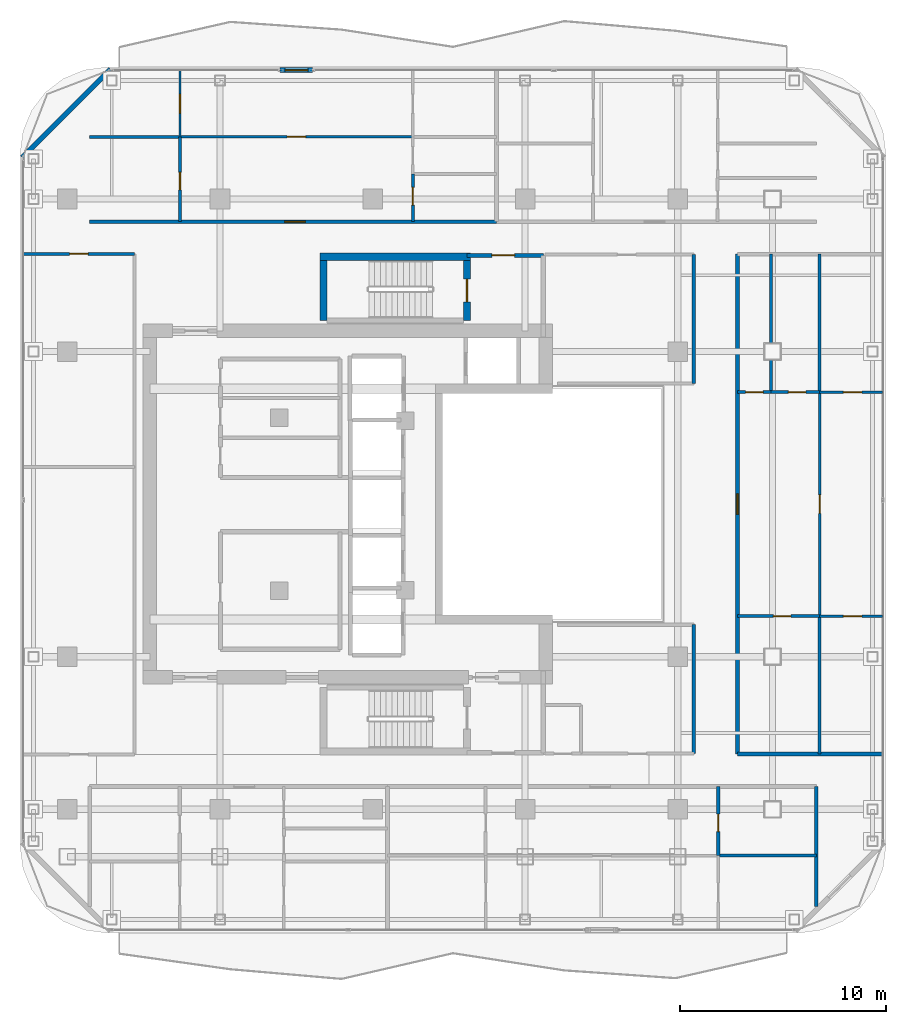
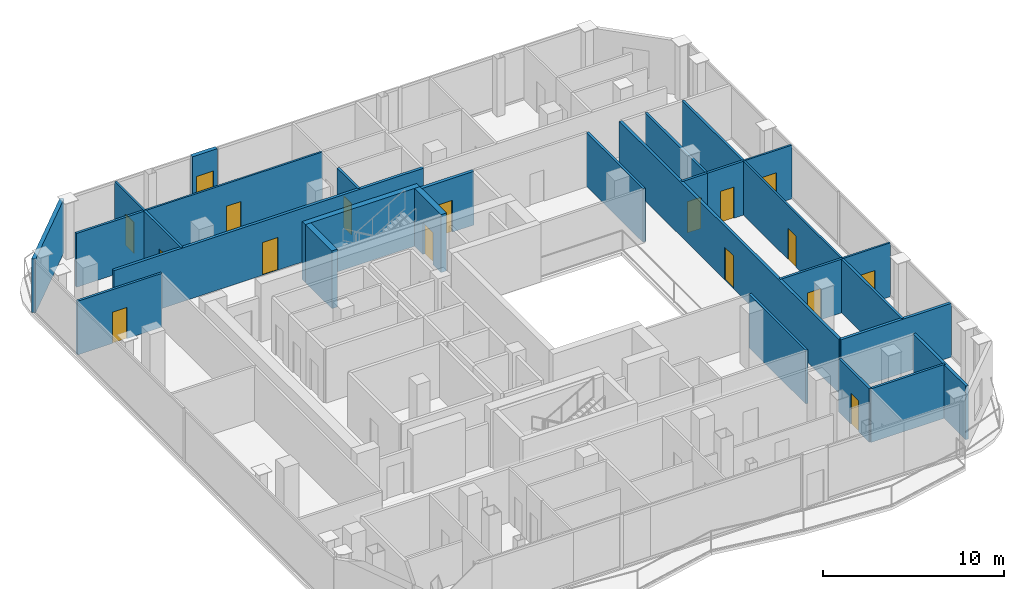
# One storey, part 18 of 22: 29 walls, 17 doors, 17 openings.
"""IFC4 building model written with IfcOpenShell, lengths in metres."""

from ifc_helpers import new_model, si_unit, direction, frame, frame_2d, origin, place, context, subcontext, project, spatial, rectangle, extrude, material, layer, layer_set, type_object, element, fill, save


model = new_model("IFC4")

# Units and contexts
model_context = context("Model", 3, precision=1e-05, world=origin(), true_north=direction((0.0, 1.0)))
body_context = subcontext(model_context, "Body", "Model", "MODEL_VIEW")
ifc_project = project(units=[si_unit("LENGTHUNIT", "METRE"), si_unit("AREAUNIT", "SQUARE_METRE"), si_unit("VOLUMEUNIT", "CUBIC_METRE"), si_unit("PLANEANGLEUNIT", "RADIAN"), si_unit("MASSUNIT", "GRAM", prefix="KILO")], contexts=[model_context])

# Site, building, storey
site_placement = place(None, origin())
site = spatial("IfcSite", under=ifc_project, at=site_placement, CompositionType="ELEMENT")
building_placement = place(site_placement, origin())
building = spatial("IfcBuilding", under=site, at=building_placement, Name="Khorvyn Point Tower", CompositionType="ELEMENT")
storey_placement = place(building_placement, frame((0.0, 0.0, 282.0)))
storey = spatial("IfcBuildingStorey", under=building, at=storey_placement, Name="L69", CompositionType="ELEMENT", Elevation=282.0)

# Wall, opening, door
ifc_material_1 = material(Name="Double acoustic gypsum on twin steel stud", Category="steel")
ifc_layer_1 = layer(ifc_material_1, 0.179931640625)
ifc_layer_set_1 = layer_set([ifc_layer_1], Name="Acoustic Double-Stud Apartment Demising Wall 180")
wall_type_1 = type_object("IfcWallType", Name="Acoustic Double-Stud Apartment Demising Wall 180", PredefinedType="PARTITIONING", material=ifc_layer_set_1)
wall_1_placement = place(storey_placement, frame((-13.719970703125, 13.699951171875, 0.0), z_axis=(0.0, 0.0, 1.0), x_axis=(1.0, 0.0, 0.0)))
wall_1 = element("IfcWall", 1, at=wall_1_placement, inside=storey, type_object=wall_type_1, Name="Wall", PredefinedType="PARTITIONING", context=body_context, shape_type="SweptSolid", body=[
    extrude(rectangle(XDim=19.73388671875, YDim=0.179931640625, at=frame_2d((9.866943359375, 0.0))), origin(), (0.0, 0.0, 1.0), 3.6201171875),
])
opening_1_placement = place(wall_1_placement, frame((9.456298828125, 0.0, 0.0)))
opening_1 = element("IfcOpeningElement", 2, at=opening_1_placement, cuts=wall_1, Name="Opening ID-AP60", PredefinedType="OPENING", context=body_context, shape_type="SweptSolid", body=[
    extrude(rectangle(XDim=1.0, YDim=2.199951171875, at=frame_2d((0.5, 1.10009765625))), frame((0.0, 0.099853515625, 0.0), z_axis=(0.0, -1.0, 0.0), x_axis=(1.0, 0.0, 0.0)), (0.0, 0.0, 1.0), 0.199951171875),
])
ifc_material_2 = material(Name="Engineered hardwood fire-rated leaf", Category="wood")
door_type_1 = type_object("IfcDoorType", Name="Acoustic Solid-Core Timber Apartment Entrance Door 1000x2200", OperationType="NOTDEFINED", PredefinedType="DOOR", material=ifc_material_2)
door_1_placement = place(opening_1_placement, origin())
door_1 = element("IfcDoor", 3, at=door_1_placement, inside=storey, type_object=door_type_1, Name="Door", OperationType="SINGLE_SWING_LEFT", OverallHeight=2.199951171875, OverallWidth=1.0, PredefinedType="DOOR", context=body_context, shape_type="SweptSolid", body=[
    extrude(rectangle(XDim=1.0, YDim=2.199951171875, at=frame_2d((0.5, 1.10009765625))), frame((0.0, 0.02490234375, 0.0), z_axis=(0.0, -1.0, 0.0), x_axis=(1.0, 0.0, 0.0)), (0.0, 0.0, 1.0), 0.050048828125),
])
fill(opening_1, door_1)

wall_2_placement = place(storey_placement, frame((17.699951171875, -12.1201171875, 0.0), z_axis=(0.0, 0.0, 1.0), x_axis=(0.0, 1.0, 0.0)))
wall_2 = element("IfcWall", 4, at=wall_2_placement, inside=storey, type_object=wall_type_1, Name="Wall", PredefinedType="PARTITIONING", context=body_context, shape_type="SweptSolid", body=[
    extrude(rectangle(XDim=24.240234375, YDim=0.179931640625, at=frame_2d((12.1201171875, 0.0))), origin(), (0.0, 0.0, 1.0), 3.6201171875),
])
opening_2_placement = place(wall_2_placement, frame((11.6201171875, 0.0, 0.0)))
opening_2 = element("IfcOpeningElement", 5, at=opening_2_placement, cuts=wall_2, Name="Opening ID-AP60", PredefinedType="OPENING", context=body_context, shape_type="SweptSolid", body=[
    extrude(rectangle(XDim=1.0, YDim=2.199951171875, at=frame_2d((0.5, 1.10009765625))), frame((0.0, 0.099853515625, 0.0), z_axis=(0.0, -1.0, 0.0), x_axis=(1.0, 0.0, 0.0)), (0.0, 0.0, 1.0), 0.199951171875),
])
door_2_placement = place(opening_2_placement, origin())
door_2 = element("IfcDoor", 6, at=door_2_placement, inside=storey, type_object=door_type_1, Name="Door", OperationType="SINGLE_SWING_RIGHT", OverallHeight=2.199951171875, OverallWidth=1.0, PredefinedType="DOOR", context=body_context, shape_type="SweptSolid", body=[
    extrude(rectangle(XDim=1.0, YDim=2.199951171875, at=frame_2d((0.5, 1.10009765625))), frame((0.0, 0.02490234375, 0.0), z_axis=(0.0, -1.0, 0.0), x_axis=(1.0, 0.0, 0.0)), (0.0, 0.0, 1.0), 0.050048828125),
])
fill(opening_2, door_2)

# Walls
wall_3_placement = place(storey_placement, frame((21.52001953125, -19.510009765625, 0.0), z_axis=(0.0, 0.0, 1.0), x_axis=(0.0, 1.0, 0.0)))
element("IfcWall", 7, at=wall_3_placement, inside=storey, type_object=wall_type_1, Name="Wall", PredefinedType="PARTITIONING", context=body_context, shape_type="SweptSolid", body=[
    extrude(rectangle(XDim=5.81005859375, YDim=0.179931640625, at=frame_2d((2.905029296875, 0.0))), origin(), (0.0, 0.0, 1.0), 3.6201171875),
])
wall_4_placement = place(storey_placement, frame((17.699951171875, -12.1201171875, 0.0), z_axis=(0.0, 0.0, 1.0), x_axis=(1.0, 0.0, 0.0)))
element("IfcWall", 8, at=wall_4_placement, inside=storey, type_object=wall_type_1, Name="Wall", PredefinedType="PARTITIONING", context=body_context, shape_type="SweptSolid", body=[
    extrude(rectangle(XDim=7.030029296875, YDim=0.179931640625, at=frame_2d((3.51513671875, 0.0))), origin(), (0.0, 0.0, 1.0), 3.6201171875),
])

# Wall, opening, door
ifc_material_3 = material(Name="Pale anodised aluminium rainscreen on steel stud", Category="steel")
ifc_layer_2 = layer(ifc_material_3, 0.239990234375)
ifc_layer_set_2 = layer_set([ifc_layer_2], Name="Anodised Aluminium Insulated Corner Spandrel Wall 240")
wall_type_2 = type_object("IfcWallType", Name="Anodised Aluminium Insulated Corner Spandrel Wall 240", PredefinedType="SOLIDWALL", material=ifc_layer_set_2)
wall_5_placement = place(storey_placement, frame((-4.48291015625, 21.050048828125, 0.0), z_axis=(0.0, 0.0, 1.0), x_axis=(1.0, 0.0, 0.0)))
wall_5 = element("IfcWall", 9, at=wall_5_placement, inside=storey, type_object=wall_type_2, Name="L69 North Outdoor Threshold Wall", PredefinedType="SOLIDWALL", context=body_context, shape_type="SweptSolid", body=[
    extrude(rectangle(XDim=1.579833984375, YDim=0.239990234375, at=frame_2d((0.7900390625, 0.0))), origin(), (0.0, 0.0, 1.0), 3.6201171875),
])
opening_3_placement = place(wall_5_placement, frame((0.239990234375, 0.0, 0.0)))
opening_3 = element("IfcOpeningElement", 10, at=opening_3_placement, cuts=wall_5, Name="Opening BD-1122", PredefinedType="OPENING", context=body_context, shape_type="SweptSolid", body=[
    extrude(rectangle(XDim=1.10009765625, YDim=2.199951171875, at=frame_2d((0.550048828125, 1.10009765625))), frame((0.0, 0.1298828125, 0.0), z_axis=(0.0, -1.0, 0.0), x_axis=(1.0, 0.0, 0.0)), (0.0, 0.0, 1.0), 0.260009765625),
])
ifc_material_4 = material(Name="Anodised aluminium 6063-T6 and laminated Low-E glass", Category="aluminium")
door_type_2 = type_object("IfcDoorType", Name="Glazed Balcony and Terrace Threshold Door 1100x2200", OperationType="NOTDEFINED", PredefinedType="DOOR", material=ifc_material_4)
door_3_placement = place(opening_3_placement, origin())
door_3 = element("IfcDoor", 11, at=door_3_placement, inside=storey, type_object=door_type_2, Name="L69 North Glazed Balcony Outdoor Door", OperationType="SINGLE_SWING_LEFT", OverallHeight=2.199951171875, OverallWidth=1.10009765625, PredefinedType="DOOR", context=body_context, shape_type="SweptSolid", body=[
    extrude(rectangle(XDim=1.10009765625, YDim=2.199951171875, at=frame_2d((0.550048828125, 1.10009765625))), frame((0.0, 0.02490234375, 0.0), z_axis=(0.0, -1.0, 0.0), x_axis=(1.0, 0.0, 0.0)), (0.0, 0.0, 1.0), 0.050048828125),
])
fill(opening_3, door_3)

# Wall
wall_6_placement = place(storey_placement, frame((-16.992431640625, 16.8076171875, 0.0), z_axis=(0.0, 0.0, 1.0), x_axis=(0.707126925818, 0.707086635981, 0.0)))
element("IfcWall", 12, at=wall_6_placement, inside=storey, type_object=wall_type_2, Name="L69 Rounded Corner Wall NW", PredefinedType="SOLIDWALL", context=body_context, shape_type="SweptSolid", body=[
    extrude(rectangle(XDim=6.0595703125, YDim=0.239990234375, at=frame_2d((3.02978515625, 0.0))), origin(), (0.0, 0.0, 1.0), 3.6201171875),
])

# Wall, opening, door
ifc_material_5 = material(Name="Concrete C40/50", Category="concrete")
ifc_layer_3 = layer(ifc_material_5, 0.199951171875)
ifc_layer_set_3 = layer_set([ifc_layer_3], Name="Concrete C40/50 Fire-Lobby Compartment Wall 200")
wall_type_3 = type_object("IfcWallType", Name="Concrete C40/50 Fire-Lobby Compartment Wall 200", PredefinedType="SOLIDWALL", material=ifc_layer_set_3)
wall_7_placement = place(storey_placement, frame((4.580078125, 12.06005859375, 0.0), z_axis=(0.0, 0.0, 1.0), x_axis=(1.0, 0.0, 0.0)))
wall_7 = element("IfcWall", 13, at=wall_7_placement, inside=storey, type_object=wall_type_3, Name="Wall", PredefinedType="SOLIDWALL", context=body_context, shape_type="SweptSolid", body=[
    extrude(rectangle(XDim=3.699951171875, YDim=0.199951171875, at=frame_2d((1.85009765625, 0.0))), origin(), (0.0, 0.0, 1.0), 3.6201171875),
])
opening_4_placement = place(wall_7_placement, frame((1.21240234375, 0.0, 0.0)))
opening_4 = element("IfcOpeningElement", 14, at=opening_4_placement, cuts=wall_7, Name="Opening ID-FL90", PredefinedType="OPENING", context=body_context, shape_type="SweptSolid", body=[
    extrude(rectangle(XDim=1.10009765625, YDim=2.14990234375, at=frame_2d((0.550048828125, 1.074951171875))), frame((0.0, 0.10986328125, 0.0), z_axis=(0.0, -1.0, 0.0), x_axis=(1.0, 0.0, 0.0)), (0.0, 0.0, 1.0), 0.219970703125),
])
ifc_material_6 = material(Name="Galvanised powder-coated steel", Category="steel")
door_type_3 = type_object("IfcDoorType", Name="Fire-Rated Steel Lobby and Stair Door 1100x2150", OperationType="NOTDEFINED", PredefinedType="DOOR", material=ifc_material_6)
door_4_placement = place(opening_4_placement, origin())
door_4 = element("IfcDoor", 15, at=door_4_placement, inside=storey, type_object=door_type_3, Name="Door", OperationType="SINGLE_SWING_LEFT", OverallHeight=2.14990234375, OverallWidth=1.10009765625, PredefinedType="DOOR", context=body_context, shape_type="SweptSolid", body=[
    extrude(rectangle(XDim=1.10009765625, YDim=2.14990234375, at=frame_2d((0.550048828125, 1.074951171875))), frame((0.0, 0.02490234375, 0.0), z_axis=(0.0, -1.0, 0.0), x_axis=(1.0, 0.0, 0.0)), (0.0, 0.0, 1.0), 0.050048828125),
])
fill(opening_4, door_4)

# Walls
ifc_layer_4 = layer(ifc_material_5, 0.35009765625)
ifc_layer_set_4 = layer_set([ifc_layer_4], Name="Concrete C40/50 Stair Shaft Structural Wall 350")
wall_type_4 = type_object("IfcWallType", Name="Concrete C40/50 Stair Shaft Structural Wall 350", PredefinedType="SHEAR", material=ifc_layer_set_4)
wall_8_placement = place(storey_placement, frame((-2.554931640625, 12.0, 0.0), z_axis=(0.0, 0.0, 1.0), x_axis=(1.0, 0.0, 0.0)))
element("IfcWall", 16, at=wall_8_placement, inside=storey, type_object=wall_type_4, Name="L69 ST-02 North Shaft Wall", PredefinedType="SHEAR", context=body_context, shape_type="SweptSolid", body=[
    extrude(rectangle(XDim=7.309814453125, YDim=0.35009765625, at=frame_2d((3.65478515625, 0.0))), origin(), (0.0, 0.0, 1.0), 3.89990234375),
])
wall_9_placement = place(storey_placement, frame((-2.3798828125, 8.89990234375, 0.0), z_axis=(0.0, 0.0, 1.0), x_axis=(0.0, 1.0, 0.0)))
element("IfcWall", 17, at=wall_9_placement, inside=storey, type_object=wall_type_4, Name="L69 ST-02 West Shaft Wall", PredefinedType="SHEAR", context=body_context, shape_type="SweptSolid", body=[
    extrude(rectangle(XDim=2.925048828125, YDim=0.35009765625, at=frame_2d((1.46240234375, 0.0))), origin(), (0.0, 0.0, 1.0), 3.89990234375),
])

# Wall, opening, door
wall_10_placement = place(storey_placement, frame((4.580078125, 11.824951171875, 0.0), z_axis=(0.0, 0.0, 1.0), x_axis=(0.0, -1.0, 0.0)))
wall_10 = element("IfcWall", 18, at=wall_10_placement, inside=storey, type_object=wall_type_4, Name="L69 ST-02 East Landing Door Wall", PredefinedType="SHEAR", context=body_context, shape_type="SweptSolid", body=[
    extrude(rectangle(XDim=2.925048828125, YDim=0.35009765625, at=frame_2d((1.46240234375, 0.0))), origin(), (0.0, 0.0, 1.0), 3.89990234375),
])
opening_5_placement = place(wall_10_placement, frame((0.91259765625, 0.0, 0.0)))
opening_5 = element("IfcOpeningElement", 19, at=opening_5_placement, cuts=wall_10, Name="Opening ID-FL90", PredefinedType="OPENING", context=body_context, shape_type="SweptSolid", body=[
    extrude(rectangle(XDim=1.10009765625, YDim=2.14990234375, at=frame_2d((0.550048828125, 1.074951171875))), frame((0.0, 0.18505859375, 0.0), z_axis=(0.0, -1.0, 0.0), x_axis=(1.0, 0.0, 0.0)), (0.0, 0.0, 1.0), 0.3701171875),
])
door_5_placement = place(opening_5_placement, origin())
door_5 = element("IfcDoor", 20, at=door_5_placement, inside=storey, type_object=door_type_3, Name="L69 ST-02 Smokeproof Landing Door", OperationType="SINGLE_SWING_RIGHT", OverallHeight=2.14990234375, OverallWidth=1.10009765625, PredefinedType="DOOR", context=body_context, shape_type="SweptSolid", body=[
    extrude(rectangle(XDim=1.10009765625, YDim=2.14990234375, at=frame_2d((0.550048828125, 1.074951171875))), frame((0.0, 0.02490234375, 0.0), z_axis=(0.0, -1.0, 0.0), x_axis=(1.0, 0.0, 0.0)), (0.0, 0.0, 1.0), 0.050048828125),
])
fill(opening_5, door_5)

ifc_material_7 = material(Name="Gypsum plasterboard on steel stud", Category="steel")
ifc_layer_5 = layer(ifc_material_7, 0.1201171875)
ifc_layer_set_5 = layer_set([ifc_layer_5], Name="Gypsum Acoustic Stud Room Partition Wall 120")
wall_type_5 = type_object("IfcWallType", Name="Gypsum Acoustic Stud Room Partition Wall 120", PredefinedType="PARTITIONING", material=ifc_layer_set_5)
wall_11_placement = place(storey_placement, frame((-9.340087890625, 17.81005859375, 0.0), z_axis=(0.0, 0.0, 1.0), x_axis=(1.0, 0.0, 0.0)))
wall_11 = element("IfcWall", 21, at=wall_11_placement, inside=storey, type_object=wall_type_5, Name="Wall", PredefinedType="PARTITIONING", context=body_context, shape_type="SweptSolid", body=[
    extrude(rectangle(XDim=11.29296875, YDim=0.1201171875, at=frame_2d((5.646484375, 0.0))), origin(), (0.0, 0.0, 1.0), 3.6201171875),
])
opening_6_placement = place(wall_11_placement, frame((5.196533203125, 0.0, 0.0)))
opening_6 = element("IfcOpeningElement", 22, at=opening_6_placement, cuts=wall_11, Name="Opening ID-RM90", PredefinedType="OPENING", context=body_context, shape_type="SweptSolid", body=[
    extrude(rectangle(XDim=0.89990234375, YDim=2.10009765625, at=frame_2d((0.449951171875, 1.050048828125))), frame((0.0, 0.070068359375, 0.0), z_axis=(0.0, -1.0, 0.0), x_axis=(1.0, 0.0, 0.0)), (0.0, 0.0, 1.0), 0.14013671875),
])
ifc_material_8 = material(Name="Engineered oak veneer timber", Category="wood")
door_type_4 = type_object("IfcDoorType", Name="Flush Engineered Timber Room Door 900x2100", OperationType="NOTDEFINED", PredefinedType="DOOR", material=ifc_material_8)
door_6_placement = place(opening_6_placement, origin())
door_6 = element("IfcDoor", 23, at=door_6_placement, inside=storey, type_object=door_type_4, Name="Door", OperationType="SINGLE_SWING_RIGHT", OverallHeight=2.10009765625, OverallWidth=0.89990234375, PredefinedType="DOOR", context=body_context, shape_type="SweptSolid", body=[
    extrude(rectangle(XDim=0.89990234375, YDim=2.10009765625, at=frame_2d((0.449951171875, 1.050048828125))), frame((0.0, 0.02490234375, 0.0), z_axis=(0.0, -1.0, 0.0), x_axis=(1.0, 0.0, 0.0)), (0.0, 0.0, 1.0), 0.050048828125),
])
fill(opening_6, door_6)

wall_12_placement = place(storey_placement, frame((-9.340087890625, 17.81005859375, 0.0), z_axis=(0.0, 0.0, 1.0), x_axis=(0.0, 1.0, 0.0)))
wall_12 = element("IfcWall", 24, at=wall_12_placement, inside=storey, type_object=wall_type_5, Name="Wall", PredefinedType="PARTITIONING", context=body_context, shape_type="SweptSolid", body=[
    extrude(rectangle(XDim=3.219970703125, YDim=0.1201171875, at=frame_2d((1.60986328125, 0.0))), origin(), (0.0, 0.0, 1.0), 3.6201171875),
])
opening_7_placement = place(wall_12_placement, frame((1.159912109375, 0.0, 0.0)))
opening_7 = element("IfcOpeningElement", 25, at=opening_7_placement, cuts=wall_12, Name="Opening ID-RM90", PredefinedType="OPENING", context=body_context, shape_type="SweptSolid", body=[
    extrude(rectangle(XDim=0.89990234375, YDim=2.10009765625, at=frame_2d((0.449951171875, 1.050048828125))), frame((0.0, 0.070068359375, 0.0), z_axis=(0.0, -1.0, 0.0), x_axis=(1.0, 0.0, 0.0)), (0.0, 0.0, 1.0), 0.14013671875),
])
door_7_placement = place(opening_7_placement, origin())
door_7 = element("IfcDoor", 26, at=door_7_placement, inside=storey, type_object=door_type_4, Name="Door", OperationType="SINGLE_SWING_RIGHT", OverallHeight=2.10009765625, OverallWidth=0.89990234375, PredefinedType="DOOR", context=body_context, shape_type="SweptSolid", body=[
    extrude(rectangle(XDim=0.89990234375, YDim=2.10009765625, at=frame_2d((0.449951171875, 1.050048828125))), frame((0.0, 0.02490234375, 0.0), z_axis=(0.0, -1.0, 0.0), x_axis=(1.0, 0.0, 0.0)), (0.0, 0.0, 1.0), 0.050048828125),
])
fill(opening_7, door_7)

wall_13_placement = place(storey_placement, frame((21.677978515625, -5.430908203125, 0.0), z_axis=(0.0, 0.0, 1.0), x_axis=(0.0, 1.0, 0.0)))
wall_13 = element("IfcWall", 27, at=wall_13_placement, inside=storey, type_object=wall_type_5, Name="Wall", PredefinedType="PARTITIONING", context=body_context, shape_type="SweptSolid", body=[
    extrude(rectangle(XDim=10.86181640625, YDim=0.1201171875, at=frame_2d((5.430908203125, 0.0))), origin(), (0.0, 0.0, 1.0), 3.6201171875),
])
opening_8_placement = place(wall_13_placement, frame((4.98095703125, 0.0, 0.0)))
opening_8 = element("IfcOpeningElement", 28, at=opening_8_placement, cuts=wall_13, Name="Opening ID-RM90", PredefinedType="OPENING", context=body_context, shape_type="SweptSolid", body=[
    extrude(rectangle(XDim=0.89990234375, YDim=2.10009765625, at=frame_2d((0.449951171875, 1.050048828125))), frame((0.0, 0.070068359375, 0.0), z_axis=(0.0, -1.0, 0.0), x_axis=(1.0, 0.0, 0.0)), (0.0, 0.0, 1.0), 0.14013671875),
])
door_8_placement = place(opening_8_placement, origin())
door_8 = element("IfcDoor", 29, at=door_8_placement, inside=storey, type_object=door_type_4, Name="Door", OperationType="SINGLE_SWING_LEFT", OverallHeight=2.10009765625, OverallWidth=0.89990234375, PredefinedType="DOOR", context=body_context, shape_type="SweptSolid", body=[
    extrude(rectangle(XDim=0.89990234375, YDim=2.10009765625, at=frame_2d((0.449951171875, 1.050048828125))), frame((0.0, 0.02490234375, 0.0), z_axis=(0.0, -1.0, 0.0), x_axis=(1.0, 0.0, 0.0)), (0.0, 0.0, 1.0), 0.050048828125),
])
fill(opening_8, door_8)

wall_14_placement = place(storey_placement, frame((21.677978515625, -5.430908203125, 0.0), z_axis=(0.0, 0.0, 1.0), x_axis=(1.0, 0.0, 0.0)))
wall_14 = element("IfcWall", 30, at=wall_14_placement, inside=storey, type_object=wall_type_5, Name="Wall", PredefinedType="PARTITIONING", context=body_context, shape_type="SweptSolid", body=[
    extrude(rectangle(XDim=3.052001953125, YDim=0.1201171875, at=frame_2d((1.52587890625, 0.0))), origin(), (0.0, 0.0, 1.0), 3.6201171875),
])
opening_9_placement = place(wall_14_placement, frame((1.1591796875, 0.0, 0.0)))
opening_9 = element("IfcOpeningElement", 31, at=opening_9_placement, cuts=wall_14, Name="Opening ID-RM90", PredefinedType="OPENING", context=body_context, shape_type="SweptSolid", body=[
    extrude(rectangle(XDim=0.89990234375, YDim=2.10009765625, at=frame_2d((0.449951171875, 1.050048828125))), frame((0.0, 0.070068359375, 0.0), z_axis=(0.0, -1.0, 0.0), x_axis=(1.0, 0.0, 0.0)), (0.0, 0.0, 1.0), 0.14013671875),
])
door_9_placement = place(opening_9_placement, origin())
door_9 = element("IfcDoor", 32, at=door_9_placement, inside=storey, type_object=door_type_4, Name="Door", OperationType="SINGLE_SWING_LEFT", OverallHeight=2.10009765625, OverallWidth=0.89990234375, PredefinedType="DOOR", context=body_context, shape_type="SweptSolid", body=[
    extrude(rectangle(XDim=0.89990234375, YDim=2.10009765625, at=frame_2d((0.449951171875, 1.050048828125))), frame((0.0, 0.02490234375, 0.0), z_axis=(0.0, -1.0, 0.0), x_axis=(1.0, 0.0, 0.0)), (0.0, 0.0, 1.0), 0.050048828125),
])
fill(opening_9, door_9)

wall_15_placement = place(storey_placement, frame((21.677978515625, 5.430908203125, 0.0), z_axis=(0.0, 0.0, 1.0), x_axis=(1.0, 0.0, 0.0)))
wall_15 = element("IfcWall", 33, at=wall_15_placement, inside=storey, type_object=wall_type_5, Name="Wall", PredefinedType="PARTITIONING", context=body_context, shape_type="SweptSolid", body=[
    extrude(rectangle(XDim=3.052001953125, YDim=0.1201171875, at=frame_2d((1.52587890625, 0.0))), origin(), (0.0, 0.0, 1.0), 3.6201171875),
])
opening_10_placement = place(wall_15_placement, frame((1.1591796875, 0.0, 0.0)))
opening_10 = element("IfcOpeningElement", 34, at=opening_10_placement, cuts=wall_15, Name="Opening ID-RM90", PredefinedType="OPENING", context=body_context, shape_type="SweptSolid", body=[
    extrude(rectangle(XDim=0.89990234375, YDim=2.10009765625, at=frame_2d((0.449951171875, 1.050048828125))), frame((0.0, 0.070068359375, 0.0), z_axis=(0.0, -1.0, 0.0), x_axis=(1.0, 0.0, 0.0)), (0.0, 0.0, 1.0), 0.14013671875),
])
door_10_placement = place(opening_10_placement, origin())
door_10 = element("IfcDoor", 35, at=door_10_placement, inside=storey, type_object=door_type_4, Name="Door", OperationType="SINGLE_SWING_RIGHT", OverallHeight=2.10009765625, OverallWidth=0.89990234375, PredefinedType="DOOR", context=body_context, shape_type="SweptSolid", body=[
    extrude(rectangle(XDim=0.89990234375, YDim=2.10009765625, at=frame_2d((0.449951171875, 1.050048828125))), frame((0.0, 0.02490234375, 0.0), z_axis=(0.0, -1.0, 0.0), x_axis=(1.0, 0.0, 0.0)), (0.0, 0.0, 1.0), 0.050048828125),
])
fill(opening_10, door_10)

ifc_material_9 = material(Name="Moisture-resistant gypsum and cement board", Category="gypsum")
ifc_layer_6 = layer(ifc_material_9, 0.14990234375)
ifc_layer_set_6 = layer_set([ifc_layer_6], Name="Moisture-Resistant Wet-Room Partition Wall 150")
wall_type_6 = type_object("IfcWallType", Name="Moisture-Resistant Wet-Room Partition Wall 150", PredefinedType="PARTITIONING", material=ifc_layer_set_6)
wall_16_placement = place(storey_placement, frame((-9.340087890625, 13.699951171875, 0.0), z_axis=(0.0, 0.0, 1.0), x_axis=(0.0, 1.0, 0.0)))
wall_16 = element("IfcWall", 36, at=wall_16_placement, inside=storey, type_object=wall_type_6, Name="Wall", PredefinedType="PARTITIONING", context=body_context, shape_type="SweptSolid", body=[
    extrude(rectangle(XDim=4.110107421875, YDim=0.14990234375, at=frame_2d((2.05517578125, 0.0))), origin(), (0.0, 0.0, 1.0), 3.6201171875),
])
opening_11_placement = place(wall_16_placement, frame((1.54345703125, 0.0, 0.0)))
opening_11 = element("IfcOpeningElement", 37, at=opening_11_placement, cuts=wall_16, Name="Opening ID-WC85", PredefinedType="OPENING", context=body_context, shape_type="SweptSolid", body=[
    extrude(rectangle(XDim=0.85009765625, YDim=2.10009765625, at=frame_2d((0.425048828125, 1.050048828125))), frame((0.0, 0.0849609375, 0.0), z_axis=(0.0, -1.0, 0.0), x_axis=(1.0, 0.0, 0.0)), (0.0, 0.0, 1.0), 0.169921875),
])
ifc_material_10 = material(Name="High-pressure laminate on moisture-resistant core", Category="wood")
door_type_5 = type_object("IfcDoorType", Name="Moisture-Resistant Accessible Washroom Door 850x2100", OperationType="NOTDEFINED", PredefinedType="DOOR", material=ifc_material_10)
door_11_placement = place(opening_11_placement, origin())
door_11 = element("IfcDoor", 38, at=door_11_placement, inside=storey, type_object=door_type_5, Name="Door", OperationType="SINGLE_SWING_LEFT", OverallHeight=2.10009765625, OverallWidth=0.85009765625, PredefinedType="DOOR", context=body_context, shape_type="SweptSolid", body=[
    extrude(rectangle(XDim=0.85009765625, YDim=2.10009765625, at=frame_2d((0.425048828125, 1.050048828125))), frame((0.0, 0.02490234375, 0.0), z_axis=(0.0, -1.0, 0.0), x_axis=(1.0, 0.0, 0.0)), (0.0, 0.0, 1.0), 0.050048828125),
])
fill(opening_11, door_11)

wall_17_placement = place(storey_placement, frame((1.952880859375, 13.699951171875, 0.0), z_axis=(0.0, 0.0, 1.0), x_axis=(0.0, 1.0, 0.0)))
wall_17 = element("IfcWall", 39, at=wall_17_placement, inside=storey, type_object=wall_type_6, Name="Wall", PredefinedType="PARTITIONING", context=body_context, shape_type="SweptSolid", body=[
    extrude(rectangle(XDim=2.302001953125, YDim=0.14990234375, at=frame_2d((1.15087890625, 0.0))), origin(), (0.0, 0.0, 1.0), 3.6201171875),
])
opening_12_placement = place(wall_17_placement, frame((0.806884765625, 0.0, 0.0)))
opening_12 = element("IfcOpeningElement", 40, at=opening_12_placement, cuts=wall_17, Name="Opening ID-WC85", PredefinedType="OPENING", context=body_context, shape_type="SweptSolid", body=[
    extrude(rectangle(XDim=0.85009765625, YDim=2.10009765625, at=frame_2d((0.425048828125, 1.050048828125))), frame((0.0, 0.0849609375, 0.0), z_axis=(0.0, -1.0, 0.0), x_axis=(1.0, 0.0, 0.0)), (0.0, 0.0, 1.0), 0.169921875),
])
door_12_placement = place(opening_12_placement, origin())
door_12 = element("IfcDoor", 41, at=door_12_placement, inside=storey, type_object=door_type_5, Name="Door", OperationType="SINGLE_SWING_LEFT", OverallHeight=2.10009765625, OverallWidth=0.85009765625, PredefinedType="DOOR", context=body_context, shape_type="SweptSolid", body=[
    extrude(rectangle(XDim=0.85009765625, YDim=2.10009765625, at=frame_2d((0.425048828125, 1.050048828125))), frame((0.0, 0.02490234375, 0.0), z_axis=(0.0, -1.0, 0.0), x_axis=(1.0, 0.0, 0.0)), (0.0, 0.0, 1.0), 0.050048828125),
])
fill(opening_12, door_12)

wall_18_placement = place(storey_placement, frame((16.76806640625, -17.044921875, 0.0), z_axis=(0.0, 0.0, 1.0), x_axis=(0.0, 1.0, 0.0)))
wall_18 = element("IfcWall", 42, at=wall_18_placement, inside=storey, type_object=wall_type_6, Name="Wall", PredefinedType="PARTITIONING", context=body_context, shape_type="SweptSolid", body=[
    extrude(rectangle(XDim=3.344970703125, YDim=0.14990234375, at=frame_2d((1.67236328125, 0.0))), origin(), (0.0, 0.0, 1.0), 3.6201171875),
])
opening_13_placement = place(wall_18_placement, frame((1.163818359375, 0.0, 0.0)))
opening_13 = element("IfcOpeningElement", 43, at=opening_13_placement, cuts=wall_18, Name="Opening ID-WC85", PredefinedType="OPENING", context=body_context, shape_type="SweptSolid", body=[
    extrude(rectangle(XDim=0.85009765625, YDim=2.10009765625, at=frame_2d((0.425048828125, 1.050048828125))), frame((0.0, 0.0849609375, 0.0), z_axis=(0.0, -1.0, 0.0), x_axis=(1.0, 0.0, 0.0)), (0.0, 0.0, 1.0), 0.169921875),
])
door_13_placement = place(opening_13_placement, origin())
door_13 = element("IfcDoor", 44, at=door_13_placement, inside=storey, type_object=door_type_5, Name="Door", OperationType="SINGLE_SWING_RIGHT", OverallHeight=2.10009765625, OverallWidth=0.85009765625, PredefinedType="DOOR", context=body_context, shape_type="SweptSolid", body=[
    extrude(rectangle(XDim=0.85009765625, YDim=2.10009765625, at=frame_2d((0.425048828125, 1.050048828125))), frame((0.0, 0.02490234375, 0.0), z_axis=(0.0, -1.0, 0.0), x_axis=(1.0, 0.0, 0.0)), (0.0, 0.0, 1.0), 0.050048828125),
])
fill(opening_13, door_13)

wall_19_placement = place(storey_placement, frame((-16.929931640625, 12.139892578125, 0.0), z_axis=(0.0, 0.0, 1.0), x_axis=(1.0, 0.0, 0.0)))
wall_19 = element("IfcWall", 45, at=wall_19_placement, inside=storey, type_object=wall_type_6, Name="Wall", PredefinedType="PARTITIONING", context=body_context, shape_type="SweptSolid", body=[
    extrude(rectangle(XDim=5.3798828125, YDim=0.14990234375, at=frame_2d((2.68994140625, 0.0))), origin(), (0.0, 0.0, 1.0), 3.6201171875),
])
opening_14_placement = place(wall_19_placement, frame((2.239990234375, 0.0, 0.0)))
opening_14 = element("IfcOpeningElement", 46, at=opening_14_placement, cuts=wall_19, Name="Opening ID-RM90", PredefinedType="OPENING", context=body_context, shape_type="SweptSolid", body=[
    extrude(rectangle(XDim=0.89990234375, YDim=2.10009765625, at=frame_2d((0.449951171875, 1.050048828125))), frame((0.0, 0.0849609375, 0.0), z_axis=(0.0, -1.0, 0.0), x_axis=(1.0, 0.0, 0.0)), (0.0, 0.0, 1.0), 0.169921875),
])
door_14_placement = place(opening_14_placement, origin())
door_14 = element("IfcDoor", 47, at=door_14_placement, inside=storey, type_object=door_type_4, Name="Door", OperationType="SINGLE_SWING_LEFT", OverallHeight=2.10009765625, OverallWidth=0.89990234375, PredefinedType="DOOR", context=body_context, shape_type="SweptSolid", body=[
    extrude(rectangle(XDim=0.89990234375, YDim=2.10009765625, at=frame_2d((0.449951171875, 1.050048828125))), frame((0.0, 0.02490234375, 0.0), z_axis=(0.0, -1.0, 0.0), x_axis=(1.0, 0.0, 0.0)), (0.0, 0.0, 1.0), 0.050048828125),
])
fill(opening_14, door_14)

wall_20_placement = place(storey_placement, frame((17.699951171875, 5.430908203125, 0.0), z_axis=(0.0, 0.0, 1.0), x_axis=(1.0, 0.0, 0.0)))
wall_20 = element("IfcWall", 48, at=wall_20_placement, inside=storey, type_object=wall_type_6, Name="Wall", PredefinedType="PARTITIONING", context=body_context, shape_type="SweptSolid", body=[
    extrude(rectangle(XDim=1.631103515625, YDim=0.14990234375, at=frame_2d((0.8154296875, 0.0))), origin(), (0.0, 0.0, 1.0), 3.6201171875),
])
opening_15_placement = place(wall_20_placement, frame((0.390380859375, 0.0, 0.0)))
opening_15 = element("IfcOpeningElement", 49, at=opening_15_placement, cuts=wall_20, Name="Opening ID-WC85", PredefinedType="OPENING", context=body_context, shape_type="SweptSolid", body=[
    extrude(rectangle(XDim=0.85009765625, YDim=2.10009765625, at=frame_2d((0.425048828125, 1.050048828125))), frame((0.0, 0.0849609375, 0.0), z_axis=(0.0, -1.0, 0.0), x_axis=(1.0, 0.0, 0.0)), (0.0, 0.0, 1.0), 0.169921875),
])
door_15_placement = place(opening_15_placement, origin())
door_15 = element("IfcDoor", 50, at=door_15_placement, inside=storey, type_object=door_type_5, Name="Door", OperationType="SINGLE_SWING_RIGHT", OverallHeight=2.10009765625, OverallWidth=0.85009765625, PredefinedType="DOOR", context=body_context, shape_type="SweptSolid", body=[
    extrude(rectangle(XDim=0.85009765625, YDim=2.10009765625, at=frame_2d((0.425048828125, 1.050048828125))), frame((0.0, 0.02490234375, 0.0), z_axis=(0.0, -1.0, 0.0), x_axis=(1.0, 0.0, 0.0)), (0.0, 0.0, 1.0), 0.050048828125),
])
fill(opening_15, door_15)

wall_21_placement = place(storey_placement, frame((19.3310546875, 5.430908203125, 0.0), z_axis=(0.0, 0.0, 1.0), x_axis=(1.0, 0.0, 0.0)))
wall_21 = element("IfcWall", 51, at=wall_21_placement, inside=storey, type_object=wall_type_6, Name="Wall", PredefinedType="PARTITIONING", context=body_context, shape_type="SweptSolid", body=[
    extrude(rectangle(XDim=2.346923828125, YDim=0.14990234375, at=frame_2d((1.17333984375, 0.0))), origin(), (0.0, 0.0, 1.0), 3.6201171875),
])
opening_16_placement = place(wall_21_placement, frame((0.83251953125, 0.0, 0.0)))
opening_16 = element("IfcOpeningElement", 52, at=opening_16_placement, cuts=wall_21, Name="Opening ID-WC85", PredefinedType="OPENING", context=body_context, shape_type="SweptSolid", body=[
    extrude(rectangle(XDim=0.85009765625, YDim=2.10009765625, at=frame_2d((0.425048828125, 1.050048828125))), frame((0.0, 0.0849609375, 0.0), z_axis=(0.0, -1.0, 0.0), x_axis=(1.0, 0.0, 0.0)), (0.0, 0.0, 1.0), 0.169921875),
])
door_16_placement = place(opening_16_placement, origin())
door_16 = element("IfcDoor", 53, at=door_16_placement, inside=storey, type_object=door_type_5, Name="Door", OperationType="SINGLE_SWING_LEFT", OverallHeight=2.10009765625, OverallWidth=0.85009765625, PredefinedType="DOOR", context=body_context, shape_type="SweptSolid", body=[
    extrude(rectangle(XDim=0.85009765625, YDim=2.10009765625, at=frame_2d((0.425048828125, 1.050048828125))), frame((0.0, 0.02490234375, 0.0), z_axis=(0.0, -1.0, 0.0), x_axis=(1.0, 0.0, 0.0)), (0.0, 0.0, 1.0), 0.050048828125),
])
fill(opening_16, door_16)

wall_22_placement = place(storey_placement, frame((17.699951171875, -5.430908203125, 0.0), z_axis=(0.0, 0.0, 1.0), x_axis=(1.0, 0.0, 0.0)))
wall_22 = element("IfcWall", 54, at=wall_22_placement, inside=storey, type_object=wall_type_6, Name="Wall", PredefinedType="PARTITIONING", context=body_context, shape_type="SweptSolid", body=[
    extrude(rectangle(XDim=3.97802734375, YDim=0.14990234375, at=frame_2d((1.989013671875, 0.0))), origin(), (0.0, 0.0, 1.0), 3.6201171875),
])
opening_17_placement = place(wall_22_placement, frame((1.739501953125, 0.0, 0.0)))
opening_17 = element("IfcOpeningElement", 55, at=opening_17_placement, cuts=wall_22, Name="Opening ID-WC85", PredefinedType="OPENING", context=body_context, shape_type="SweptSolid", body=[
    extrude(rectangle(XDim=0.85009765625, YDim=2.10009765625, at=frame_2d((0.425048828125, 1.050048828125))), frame((0.0, 0.0849609375, 0.0), z_axis=(0.0, -1.0, 0.0), x_axis=(1.0, 0.0, 0.0)), (0.0, 0.0, 1.0), 0.169921875),
])
door_17_placement = place(opening_17_placement, origin())
door_17 = element("IfcDoor", 56, at=door_17_placement, inside=storey, type_object=door_type_5, Name="Door", OperationType="SINGLE_SWING_RIGHT", OverallHeight=2.10009765625, OverallWidth=0.85009765625, PredefinedType="DOOR", context=body_context, shape_type="SweptSolid", body=[
    extrude(rectangle(XDim=0.85009765625, YDim=2.10009765625, at=frame_2d((0.425048828125, 1.050048828125))), frame((0.0, 0.02490234375, 0.0), z_axis=(0.0, -1.0, 0.0), x_axis=(1.0, 0.0, 0.0)), (0.0, 0.0, 1.0), 0.050048828125),
])
fill(opening_17, door_17)

# Walls
for number, where, z_axis, x_axis, name in (
    (57, (15.580078125, -12.10009765625, 0.0), (0.0, 0.0, 1.0), (0.0, 1.0, 0.0), "Wall"),
    (58, (15.580078125, 5.85009765625, 0.0), (0.0, 0.0, 1.0), (0.0, 1.0, 0.0), "Wall"),
):
    element("IfcWall", number, at=place(storey_placement, frame(where, z_axis=z_axis, x_axis=x_axis)), inside=storey, type_object=wall_type_6, Name=name, PredefinedType="PARTITIONING", context=body_context, shape_type="SweptSolid", body=[
        extrude(rectangle(XDim=6.25, YDim=0.14990234375, at=frame_2d((3.125, 0.0))), origin(), (0.0, 0.0, 1.0), 3.6201171875),
    ])
wall_23_placement = place(storey_placement, frame((-13.719970703125, 17.81005859375, 0.0), z_axis=(0.0, 0.0, 1.0), x_axis=(1.0, 0.0, 0.0)))
element("IfcWall", 59, at=wall_23_placement, inside=storey, type_object=wall_type_6, Name="Wall", PredefinedType="PARTITIONING", context=body_context, shape_type="SweptSolid", body=[
    extrude(rectangle(XDim=4.3798828125, YDim=0.14990234375, at=frame_2d((2.18994140625, 0.0))), origin(), (0.0, 0.0, 1.0), 3.6201171875),
])
wall_24_placement = place(storey_placement, frame((16.76806640625, -17.044921875, 0.0), z_axis=(0.0, 0.0, 1.0), x_axis=(1.0, 0.0, 0.0)))
element("IfcWall", 60, at=wall_24_placement, inside=storey, type_object=wall_type_6, Name="Wall", PredefinedType="PARTITIONING", context=body_context, shape_type="SweptSolid", body=[
    extrude(rectangle(XDim=4.751953125, YDim=0.14990234375, at=frame_2d((2.3759765625, 0.0))), origin(), (0.0, 0.0, 1.0), 3.6201171875),
])
for number, where, z_axis, x_axis, name in (
    (61, (19.3310546875, 5.430908203125, 0.0), (0.0, 0.0, 1.0), (0.0, 1.0, 0.0), "Wall"),
    (62, (21.677978515625, -12.1201171875, 0.0), (0.0, 0.0, 1.0), (0.0, 1.0, 0.0), "Wall"),
    (63, (21.677978515625, 5.430908203125, 0.0), (0.0, 0.0, 1.0), (0.0, 1.0, 0.0), "Wall"),
):
    element("IfcWall", number, at=place(storey_placement, frame(where, z_axis=z_axis, x_axis=x_axis)), inside=storey, type_object=wall_type_6, Name=name, PredefinedType="PARTITIONING", context=body_context, shape_type="SweptSolid", body=[
        extrude(rectangle(XDim=6.689208984375, YDim=0.14990234375, at=frame_2d((3.3447265625, 0.0))), origin(), (0.0, 0.0, 1.0), 3.6201171875),
    ])

save(model, "model.ifc")
